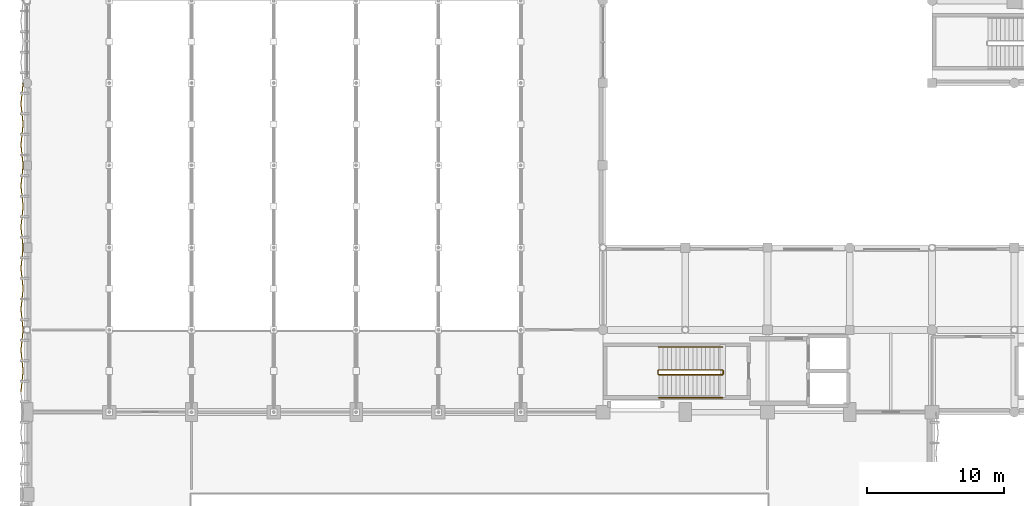
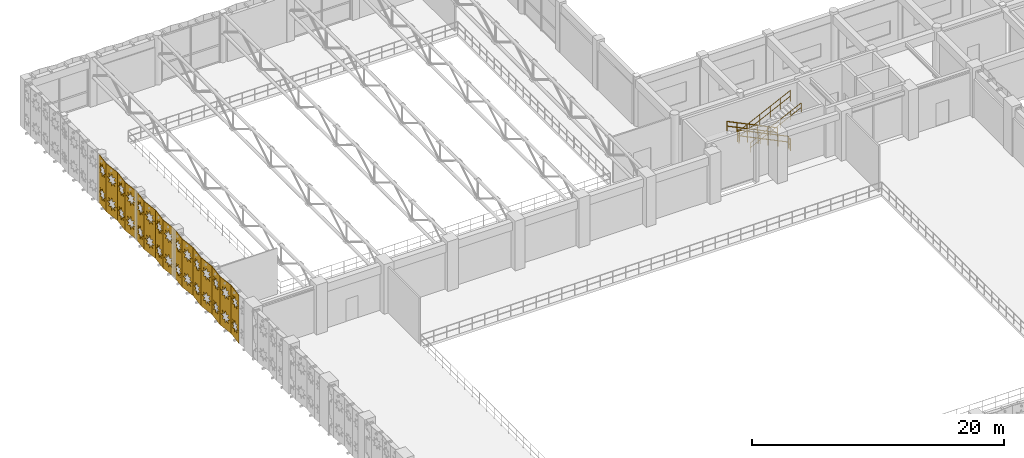
# One storey, part 118 of 123: 15 coverings, 6 railings.
"""IFC4 building model written with IfcOpenShell, lengths in metres."""

import ifcopenshell
import ifcopenshell.guid

model = None  # the IFC model being written
_history = None  # IfcOwnerHistory: only IFC2X3 demands one
_inside = {}  # id of a spatial element -> (the spatial element, [elements in it])
_under = {}  # id of a project, library or spatial element -> (it, [spatial elements below it])
_declared = {}  # id of a project -> (the project, [libraries it declares])
_typed = {}  # id of a type object -> (the type object, [elements of that type])
_made_of = {}  # id of a material, layer set ... -> (it, [elements and type objects made of it])


def new_model(schema):
    """Start an empty IFC model of exactly this schema.

    Asked for "IFC4X3", IfcOpenShell would pick the latest addendum, in which some entities
    have other attributes; the version numbers below select the first issue.
    IFC2X3 requires an IfcOwnerHistory on every rooted entity: one is made here for all.
    """
    global model, _history
    if schema == "IFC4X3":
        model = ifcopenshell.file(schema_version=(4, 3, 0, 0))
    else:
        model = ifcopenshell.file(schema=schema)
    _inside.clear()
    _under.clear()
    _declared.clear()
    _typed.clear()
    _made_of.clear()
    _history = None
    if model.schema == "IFC2X3":
        org = make("IfcOrganization", Name="unknown")
        user = make(
            "IfcPersonAndOrganization",
            ThePerson=make("IfcPerson", FamilyName="unknown"),
            TheOrganization=org,
        )
        app = make(
            "IfcApplication",
            ApplicationDeveloper=org,
            Version="unknown",
            ApplicationFullName="unknown",
            ApplicationIdentifier="unknown",
        )
        _history = make(
            "IfcOwnerHistory",
            OwningUser=user,
            OwningApplication=app,
            ChangeAction="ADDED",
            CreationDate=0,
        )
    return model


def make(cls, **values):
    """One entity of the class cls with the attributes given. An attribute that is None is left unset."""
    return model.create_entity(
        cls, **{name: value for name, value in values.items() if value is not None}
    )


def rooted(cls, **values):
    """An entity with a GlobalId (a new one), such as an element, a storey or a relation."""
    return make(cls, GlobalId=ifcopenshell.guid.new(), OwnerHistory=_history, **values)


def si_unit(unit_type, name, prefix=None):
    """IfcSIUnit, for example si_unit("LENGTHUNIT", "METRE", prefix="MILLI")."""
    return make("IfcSIUnit", UnitType=unit_type, Prefix=prefix, Name=name)


def assignment(units):
    """IfcUnitAssignment: the units of a project."""
    return None if units is None else make("IfcUnitAssignment", Units=units)


def point(xyz):
    """IfcCartesianPoint."""
    return None if xyz is None else make("IfcCartesianPoint", Coordinates=xyz)


def direction(xyz):
    """IfcDirection."""
    return None if xyz is None else make("IfcDirection", DirectionRatios=xyz)


def frame(location, z_axis=None, x_axis=None):
    """IfcAxis2Placement3D, a coordinate frame: its origin and axes. An axis left out is left unset."""
    return make(
        "IfcAxis2Placement3D",
        Location=point(location),
        Axis=direction(z_axis),
        RefDirection=direction(x_axis),
    )


def frame_2d(location, x_axis=None):
    """IfcAxis2Placement2D, a coordinate frame in the plane: its origin and x axis."""
    return make(
        "IfcAxis2Placement2D", Location=point(location), RefDirection=direction(x_axis)
    )


def origin():
    """The frame at (0, 0, 0) with its axes left unset."""
    return frame((0.0, 0.0, 0.0))


def origin_2d():
    """The frame at (0, 0) in the plane with its x axis left unset."""
    return frame_2d((0.0, 0.0))


def place(relative_to, where):
    """IfcLocalPlacement: puts the frame where relative to a parent placement (None: the world)."""
    return make(
        "IfcLocalPlacement", PlacementRelTo=relative_to, RelativePlacement=where
    )


def context(
    kind, dimensions, precision=None, world=None, true_north=None, identifier=None
):
    """IfcGeometricRepresentationContext, for example the 3D "Model" context."""
    return make(
        "IfcGeometricRepresentationContext",
        ContextIdentifier=identifier,
        ContextType=kind,
        CoordinateSpaceDimension=dimensions,
        Precision=precision,
        WorldCoordinateSystem=world,
        TrueNorth=true_north,
    )


def subcontext(parent, identifier, kind, view, scale=None):
    """IfcGeometricRepresentationSubContext, for example "Body" below "Model"."""
    return make(
        "IfcGeometricRepresentationSubContext",
        ContextIdentifier=identifier,
        ContextType=kind,
        ParentContext=parent,
        TargetScale=scale,
        TargetView=view,
    )


def project(units=None, contexts=None):
    """IfcProject with its units and contexts."""
    return rooted(
        "IfcProject",
        Name="project",
        RepresentationContexts=contexts,
        UnitsInContext=assignment(units),
    )


def spatial(cls, under=None, at=None, **own):
    """A site, building, storey or space (cls), placed at a placement, below another one or the project."""
    s = rooted(cls, ObjectPlacement=at, **own)
    if under is not None:
        _under.setdefault(under.id(), (under, []))[1].append(s)
    return s


def polyline(points):
    """IfcPolyline through the points."""
    return make("IfcPolyline", Points=[point(p) for p in points])


def profile(cls, at=None, kind="AREA", **sizes):
    """A parametric profile (cls). Its sizes go by their IFC names, for example OverallWidth=200.0."""
    return make(cls, ProfileType=kind, Position=at, **sizes)


def circle(**sizes):
    """IfcCircleProfileDef."""
    return profile("IfcCircleProfileDef", **sizes)


def outline(outer, holes=None, kind="AREA"):
    """IfcArbitraryClosedProfileDef: a profile drawn as a closed curve; with holes, ...WithVoids."""
    if holes is None:
        return make("IfcArbitraryClosedProfileDef", ProfileType=kind, OuterCurve=outer)
    return make(
        "IfcArbitraryProfileDefWithVoids",
        ProfileType=kind,
        OuterCurve=outer,
        InnerCurves=holes,
    )


def extrude(swept, where, along, depth):
    """IfcExtrudedAreaSolid: the profile swept, set in the frame where, extruded along a direction by depth."""
    return make(
        "IfcExtrudedAreaSolid",
        SweptArea=swept,
        Position=where,
        ExtrudedDirection=direction(along),
        Depth=depth,
    )


def shape(context_of_items, identifier, shape_type, items):
    """IfcShapeRepresentation: the items that make up one representation, for example the "Body"."""
    return make(
        "IfcShapeRepresentation",
        ContextOfItems=context_of_items,
        RepresentationIdentifier=identifier,
        RepresentationType=shape_type,
        Items=items,
    )


def material(Name=None, Category=None):
    """IfcMaterial."""
    return make("IfcMaterial", Name=Name, Category=Category)


def layer(
    of_material, thickness, ventilated=None, Name=None, Category=None, Priority=None
):
    """IfcMaterialLayer: one layer of a wall or slab, of a material (None: an air gap)."""
    return make(
        "IfcMaterialLayer",
        Material=of_material,
        LayerThickness=thickness,
        IsVentilated=ventilated,
        Name=Name,
        Category=Category,
        Priority=Priority,
    )


def layer_set(layers, Name=None):
    """IfcMaterialLayerSet."""
    return make("IfcMaterialLayerSet", MaterialLayers=layers, LayerSetName=Name)


def made_of(thing, what):
    """Note that an element or type object is made of a material, layer set ...; save() writes the relation."""
    if what is not None:
        _made_of.setdefault(what.id(), (what, []))[1].append(thing)
    return thing


def type_object(cls, material=None, **own):
    """A type object (cls), such as IfcWallType, which elements share."""
    return made_of(rooted(cls, **own), material)


def element(
    cls,
    number,
    at=None,
    inside=None,
    cuts=None,
    type_object=None,
    material=None,
    context=None,
    identifier="Body",
    shape_type=None,
    held_by="IfcProductDefinitionShape",
    body=None,
    shapes=None,
    **own,
):
    """One element of the class cls, such as IfcWall. Its Tag is "e" and its number.

    at: its placement. inside: the storey or other place that contains it. cuts: it is an
    opening in that element (IfcRelVoidsElement). A single representation is given by context,
    identifier, shape_type and body (its items); several are given by shapes. held_by: the class
    of the entity that holds the representations. save() writes the other relations.
    """
    e = rooted(cls, Tag="e%d" % number, ObjectPlacement=at, **own)
    if body is not None:
        shapes = [shape(context, identifier, shape_type, body)]
    if shapes is not None:
        e.Representation = make(held_by, Representations=shapes)
    if inside is not None:
        _inside.setdefault(inside.id(), (inside, []))[1].append(e)
    if cuts is not None:
        rooted(
            "IfcRelVoidsElement", RelatingBuildingElement=cuts, RelatedOpeningElement=e
        )
    if type_object is not None:
        _typed.setdefault(type_object.id(), (type_object, []))[1].append(e)
    return made_of(e, material)


def aggregate(whole, parts):
    """IfcRelAggregates: a whole, such as a stair, and the parts it consists of."""
    return rooted("IfcRelAggregates", RelatingObject=whole, RelatedObjects=parts)


def save(model, path):
    """Write the relations noted so far, then the file.

    IfcRelAggregates (storeys below a building ...), IfcRelContainedInSpatialStructure (elements
    in a storey), IfcRelDefinesByType, IfcRelAssociatesMaterial and IfcRelDeclares: one each for
    every whole, place, type object, material and project.
    """
    for whole, parts in _under.values():
        aggregate(whole, parts)
    for where, things in _inside.values():
        rooted(
            "IfcRelContainedInSpatialStructure",
            RelatedElements=things,
            RelatingStructure=where,
        )
    for kind, things in _typed.values():
        rooted("IfcRelDefinesByType", RelatedObjects=things, RelatingType=kind)
    for what, things in _made_of.values():
        rooted("IfcRelAssociatesMaterial", RelatedObjects=things, RelatingMaterial=what)
    for by, libraries in _declared.values():
        rooted("IfcRelDeclares", RelatingContext=by, RelatedDefinitions=libraries)
    model.write(path)


model = new_model("IFC4")

# Units and contexts
model_context = context("Model", 3, precision=1e-05, world=origin(), true_north=direction((0.0, 1.0)))
body_context = subcontext(model_context, "Body", "Model", "MODEL_VIEW")
ifc_project = project(units=[si_unit("LENGTHUNIT", "METRE"), si_unit("AREAUNIT", "SQUARE_METRE"), si_unit("VOLUMEUNIT", "CUBIC_METRE"), si_unit("PLANEANGLEUNIT", "RADIAN"), si_unit("MASSUNIT", "GRAM", prefix="KILO"), si_unit("THERMODYNAMICTEMPERATUREUNIT", "KELVIN"), si_unit("POWERUNIT", "WATT")], contexts=[model_context])

# Site, building, storey
site_placement = place(None, origin())
site = spatial("IfcSite", under=ifc_project, at=site_placement, CompositionType="ELEMENT")
building_placement = place(site_placement, origin())
building = spatial("IfcBuilding", under=site, at=building_placement, Name="Phaisarnlok Congress Hotel", CompositionType="ELEMENT")
storey_placement = place(building_placement, frame((0.0, 0.0, 15.0)))
storey = spatial("IfcBuildingStorey", under=building, at=storey_placement, Name="L03", CompositionType="ELEMENT", Elevation=15.0)

# Coverings
ifc_material_1 = material(Name="PVDF White Perforated Aluminium Alloy 5052", Category="aluminium")
ifc_layer = layer(ifc_material_1, 0.0400390625, Name="PVDF White Perforated Aluminium Alloy 5052")
ifc_layer_set = layer_set([ifc_layer], Name="PVDF White Perforated Aluminium Alloy 5052")
covering_type = type_object("IfcCoveringType", Name="COV-STAR-FOLD", PredefinedType="CLADDING", material=ifc_layer_set)
for number, where, z_axis, x_axis, name in (
    (1, (-0.457763671875, 85.5, 0.06005859375), (0.994517863207, -0.104566819602, 0.0), (0.104566819602, 0.994517863207, 0.0), "Folded star-perforated hall screen SS-02 (V3W L03)"),
    (2, (-0.300048828125, 87.0, 0.06005859375), (0.994517863207, 0.104566819602, 0.0), (-0.104566819602, 0.994517863207, 0.0), "Folded star-perforated hall screen SS-02 (V3W L03)"),
    (3, (-0.457763671875, 88.5, 0.06005859375), (0.994517863207, -0.104566819602, 0.0), (0.104566819602, 0.994517863207, 0.0), "Folded star-perforated hall screen SS-02 (V3W L03)"),
    (4, (-0.300048828125, 90.0, 0.06005859375), (0.994517863207, 0.104566819602, 0.0), (-0.104566819602, 0.994517863207, 0.0), "Folded star-perforated hall screen SS-02 (V3W L03)"),
    (5, (-0.457763671875, 91.5, 0.06005859375), (0.994517863207, -0.104566819602, 0.0), (0.104566819602, 0.994517863207, 0.0), "Folded star-perforated hall screen SS-02 (V3W L03)"),
    (6, (-0.300048828125, 93.0, 0.06005859375), (0.994517863207, 0.104566819602, 0.0), (-0.104566819602, 0.994517863207, 0.0), "Folded star-perforated hall screen SS-02 (V3W L03)"),
    (7, (-0.457763671875, 94.5, 0.06005859375), (0.994517863207, -0.104566819602, 0.0), (0.104566819602, 0.994517863207, 0.0), "Folded star-perforated hall screen SS-02 (V3W L03)"),
    (8, (-0.300048828125, 96.0, 0.06005859375), (0.994517863207, 0.104566819602, 0.0), (-0.104566819602, 0.994517863207, 0.0), "Folded star-perforated hall screen SS-02 (V3W L03)"),
    (9, (-0.457763671875, 97.5, 0.06005859375), (0.994517863207, -0.104566819602, 0.0), (0.104566819602, 0.994517863207, 0.0), "Folded star-perforated hall screen SS-02 (V3W L03)"),
    (10, (-0.300048828125, 99.0, 0.06005859375), (0.994517863207, 0.104566819602, 0.0), (-0.104566819602, 0.994517863207, 0.0), "Folded star-perforated hall screen SS-02 (V3W L03)"),
    (11, (-0.457763671875, 100.5, 0.06005859375), (0.994517863207, -0.104566819602, 0.0), (0.104566819602, 0.994517863207, 0.0), "Folded star-perforated hall screen SS-02 (V3W L03)"),
    (12, (-0.300048828125, 102.0, 0.06005859375), (0.994517863207, 0.104566819602, 0.0), (-0.104566819602, 0.994517863207, 0.0), "Folded star-perforated hall screen SS-02 (V3W L03)"),
    (13, (-0.457763671875, 103.5, 0.06005859375), (0.994517863207, -0.104566819602, 0.0), (0.104566819602, 0.994517863207, 0.0), "Folded star-perforated hall screen SS-02 (V3W L03)"),
    (14, (-0.300048828125, 105.0, 0.06005859375), (0.994517863207, 0.104566819602, 0.0), (-0.104566819602, 0.994517863207, 0.0), "Folded star-perforated hall screen SS-02 (V3W L03)"),
    (15, (-0.457763671875, 106.5, 0.06005859375), (0.994517863207, -0.104566819602, 0.0), (0.104566819602, 0.994517863207, 0.0), "Folded star-perforated hall screen SS-02 (V3W L03)"),
):
    element("IfcCovering", number, at=place(storey_placement, frame(where, z_axis=z_axis, x_axis=x_axis)), inside=storey, type_object=covering_type, Name=name, PredefinedType="CLADDING", context=body_context, shape_type="SweptSolid", body=[
        extrude(outline(polyline([(0.0, 0.0), (1.5082685344258453, 0.0), (1.5082685344258453, 4.659912109375), (0.0, 4.659912109375), (0.0, 0.0)]), holes=[polyline([(1.0351, 1.0486), (1.2021, 0.7171), (0.8705, 0.8841), (0.7541, 0.5315), (0.6378, 0.8841), (0.3062, 0.7171), (0.4732, 1.0486), (0.1207, 1.165), (0.4732, 1.2814), (0.3062, 1.6129), (0.6378, 1.4459), (0.7541, 1.7985), (0.8705, 1.4459), (1.2021, 1.6129), (1.0351, 1.2814), (1.3876, 1.165), (1.0351, 1.0486)]), polyline([(1.0351, 3.3786), (1.2021, 3.0471), (0.8705, 3.2141), (0.7541, 2.8615), (0.6378, 3.2141), (0.3062, 3.0471), (0.4732, 3.3786), (0.1207, 3.495), (0.4732, 3.6114), (0.3062, 3.9429), (0.6378, 3.7759), (0.7541, 4.1285), (0.8705, 3.7759), (1.2021, 3.9429), (1.0351, 3.6114), (1.3876, 3.495), (1.0351, 3.3786)])]), origin(), (0.0, 0.0, 1.0), 0.0400390625),
    ])

# Railings
ifc_material_2 = material(Name="Painted Galvanised Steel S275", Category="steel")
railing_type_1 = type_object("IfcRailingType", Name="RLG-STR-GUARD", PredefinedType="BALUSTRADE", material=ifc_material_2)
railing_1_placement = place(storey_placement, frame((50.719970703125, 87.070068359375, 0.14990234375)))
element("IfcRailing", 16, at=railing_1_placement, inside=storey, type_object=railing_type_1, Name="L03 ST-01 stair guard 1", PredefinedType="BALUSTRADE", context=body_context, shape_type="SweptSolid", body=[
    extrude(circle(Radius=0.02392578125, at=origin_2d()), frame((0.0, 0.0, 1.076171875), z_axis=(-0.900155664878, 0.0, 0.435568340204), x_axis=(0.0, -1.0, 0.0)), (0.0, 0.0, 1.0), 5.165771484375),
    extrude(circle(Radius=0.02392578125, at=origin_2d()), frame((0.0, 0.0, 0.52587890625), z_axis=(-0.900155664878, 0.0, 0.435568340204), x_axis=(0.0, -1.0, 0.0)), (0.0, 0.0, 1.0), 5.165771484375),
    extrude(circle(Radius=0.02099609375, at=origin_2d()), origin(), (0.0, 0.0, 1.0), 1.052001953125),
    extrude(circle(Radius=0.02099609375, at=origin_2d()), frame((-0.929931640625, 0.0, 0.449951171875)), (0.0, 0.0, 1.0), 1.052001953125),
    extrude(circle(Radius=0.02099609375, at=origin_2d()), frame((-1.85986328125, 0.0, 0.89990234375)), (0.0, 0.0, 1.0), 1.052001953125),
    extrude(circle(Radius=0.02099609375, at=origin_2d()), frame((-2.7900390625, 0.0, 1.35009765625)), (0.0, 0.0, 1.0), 1.052001953125),
    extrude(circle(Radius=0.02099609375, at=origin_2d()), frame((-3.719970703125, 0.0, 1.800048828125)), (0.0, 0.0, 1.0), 1.052001953125),
    extrude(circle(Radius=0.02099609375, at=origin_2d()), frame((-4.64990234375, 0.0, 2.25)), (0.0, 0.0, 1.0), 1.052001953125),
])
railing_2_placement = place(storey_placement, frame((46.02001953125, 87.02001953125, 2.39990234375)))
element("IfcRailing", 17, at=railing_2_placement, inside=storey, type_object=railing_type_1, Name="L03 ST-01 stair guard 2", PredefinedType="BALUSTRADE", context=body_context, shape_type="SweptSolid", body=[
    extrude(circle(Radius=0.02392578125, at=origin_2d()), frame((0.0, 0.0, 1.076171875), z_axis=(0.0, -1.0, 0.0), x_axis=(1.0, 0.0, 0.0)), (0.0, 0.0, 1.0), 0.239990234375),
    extrude(circle(Radius=0.02392578125, at=origin_2d()), frame((0.0, 0.0, 0.52587890625), z_axis=(0.0, -1.0, 0.0), x_axis=(1.0, 0.0, 0.0)), (0.0, 0.0, 1.0), 0.239990234375),
    extrude(circle(Radius=0.02099609375, at=origin_2d()), origin(), (0.0, 0.0, 1.0), 1.052001953125),
    extrude(circle(Radius=0.02099609375, at=origin_2d()), frame((0.0, -0.239990234375, 0.0)), (0.0, 0.0, 1.0), 1.052001953125),
])
railing_3_placement = place(storey_placement, frame((46.070068359375, 86.72998046875, 2.550048828125)))
element("IfcRailing", 18, at=railing_3_placement, inside=storey, type_object=railing_type_1, Name="L03 ST-01 stair guard 3", PredefinedType="BALUSTRADE", context=body_context, shape_type="SweptSolid", body=[
    extrude(circle(Radius=0.02392578125, at=origin_2d()), frame((0.0, 0.0, 1.076171875), z_axis=(0.900155664878, 0.0, 0.435568340204), x_axis=(0.0, 1.0, 0.0)), (0.0, 0.0, 1.0), 5.165771484375),
    extrude(circle(Radius=0.02392578125, at=origin_2d()), frame((0.0, 0.0, 0.52587890625), z_axis=(0.900155664878, 0.0, 0.435568340204), x_axis=(0.0, 1.0, 0.0)), (0.0, 0.0, 1.0), 5.165771484375),
    extrude(circle(Radius=0.02099609375, at=origin_2d()), origin(), (0.0, 0.0, 1.0), 1.052001953125),
    extrude(circle(Radius=0.02099609375, at=origin_2d()), frame((0.929931640625, 0.0, 0.449951171875)), (0.0, 0.0, 1.0), 1.052001953125),
    extrude(circle(Radius=0.02099609375, at=origin_2d()), frame((1.85986328125, 0.0, 0.89990234375)), (0.0, 0.0, 1.0), 1.052001953125),
    extrude(circle(Radius=0.02099609375, at=origin_2d()), frame((2.7900390625, 0.0, 1.35009765625)), (0.0, 0.0, 1.0), 1.052001953125),
    extrude(circle(Radius=0.02099609375, at=origin_2d()), frame((3.719970703125, 0.0, 1.800048828125)), (0.0, 0.0, 1.0), 1.052001953125),
    extrude(circle(Radius=0.02099609375, at=origin_2d()), frame((4.64990234375, 0.0, 2.25)), (0.0, 0.0, 1.0), 1.052001953125),
])
railing_4_placement = place(storey_placement, frame((50.77001953125, 87.02001953125, 0.0)))
element("IfcRailing", 19, at=railing_4_placement, inside=storey, type_object=railing_type_1, Name="L03 ST-01 stair guard 4", PredefinedType="BALUSTRADE", context=body_context, shape_type="SweptSolid", body=[
    extrude(circle(Radius=0.02392578125, at=origin_2d()), frame((0.0, 0.0, 1.076171875), z_axis=(0.0, -1.0, 0.0), x_axis=(1.0, 0.0, 0.0)), (0.0, 0.0, 1.0), 0.239990234375),
    extrude(circle(Radius=0.02392578125, at=origin_2d()), frame((0.0, 0.0, 0.52587890625), z_axis=(0.0, -1.0, 0.0), x_axis=(1.0, 0.0, 0.0)), (0.0, 0.0, 1.0), 0.239990234375),
    extrude(circle(Radius=0.02099609375, at=origin_2d()), origin(), (0.0, 0.0, 1.0), 1.052001953125),
    extrude(circle(Radius=0.02099609375, at=origin_2d()), frame((0.0, -0.239990234375, 0.0)), (0.0, 0.0, 1.0), 1.052001953125),
])
ifc_material_3 = material(Name="Brushed Stainless Steel Grade 304", Category="steel")
railing_type_2 = type_object("IfcRailingType", Name="RLG-STR-HRAIL", PredefinedType="HANDRAIL", material=ifc_material_3)
railing_5_placement = place(storey_placement, frame((50.719970703125, 88.75, 0.14990234375)))
element("IfcRailing", 20, at=railing_5_placement, inside=storey, type_object=railing_type_2, Name="L03 ST-01 stair handrail 1", PredefinedType="HANDRAIL", context=body_context, shape_type="SweptSolid", body=[
    extrude(circle(Radius=0.02392578125, at=origin_2d()), frame((0.0, 0.0, 0.8759765625), z_axis=(-0.900155664878, 0.0, 0.435568340204), x_axis=(0.0, -1.0, 0.0)), (0.0, 0.0, 1.0), 5.165771484375),
    extrude(circle(Radius=0.02392578125, at=origin_2d()), frame((0.0, 0.0, 0.42578125), z_axis=(-0.900155664878, 0.0, 0.435568340204), x_axis=(0.0, -1.0, 0.0)), (0.0, 0.0, 1.0), 5.165771484375),
    extrude(circle(Radius=0.02099609375, at=origin_2d()), origin(), (0.0, 0.0, 1.0), 0.851806640625),
    extrude(circle(Radius=0.02099609375, at=origin_2d()), frame((-0.929931640625, 0.0, 0.449951171875)), (0.0, 0.0, 1.0), 0.851806640625),
    extrude(circle(Radius=0.02099609375, at=origin_2d()), frame((-1.85986328125, 0.0, 0.89990234375)), (0.0, 0.0, 1.0), 0.851806640625),
    extrude(circle(Radius=0.02099609375, at=origin_2d()), frame((-2.7900390625, 0.0, 1.35009765625)), (0.0, 0.0, 1.0), 0.851806640625),
    extrude(circle(Radius=0.02099609375, at=origin_2d()), frame((-3.719970703125, 0.0, 1.800048828125)), (0.0, 0.0, 1.0), 0.851806640625),
    extrude(circle(Radius=0.02099609375, at=origin_2d()), frame((-4.64990234375, 0.0, 2.25)), (0.0, 0.0, 1.0), 0.851806640625),
])
railing_6_placement = place(storey_placement, frame((46.070068359375, 85.050048828125, 2.550048828125)))
element("IfcRailing", 21, at=railing_6_placement, inside=storey, type_object=railing_type_2, Name="L03 ST-01 stair handrail 2", PredefinedType="HANDRAIL", context=body_context, shape_type="SweptSolid", body=[
    extrude(circle(Radius=0.02392578125, at=origin_2d()), frame((0.0, 0.0, 0.8759765625), z_axis=(0.900155664878, 0.0, 0.435568340204), x_axis=(0.0, 1.0, 0.0)), (0.0, 0.0, 1.0), 5.165771484375),
    extrude(circle(Radius=0.02392578125, at=origin_2d()), frame((0.0, 0.0, 0.42578125), z_axis=(0.900155664878, 0.0, 0.435568340204), x_axis=(0.0, 1.0, 0.0)), (0.0, 0.0, 1.0), 5.165771484375),
    extrude(circle(Radius=0.02099609375, at=origin_2d()), origin(), (0.0, 0.0, 1.0), 0.851806640625),
    extrude(circle(Radius=0.02099609375, at=origin_2d()), frame((0.929931640625, 0.0, 0.449951171875)), (0.0, 0.0, 1.0), 0.851806640625),
    extrude(circle(Radius=0.02099609375, at=origin_2d()), frame((1.85986328125, 0.0, 0.89990234375)), (0.0, 0.0, 1.0), 0.851806640625),
    extrude(circle(Radius=0.02099609375, at=origin_2d()), frame((2.7900390625, 0.0, 1.35009765625)), (0.0, 0.0, 1.0), 0.851806640625),
    extrude(circle(Radius=0.02099609375, at=origin_2d()), frame((3.719970703125, 0.0, 1.800048828125)), (0.0, 0.0, 1.0), 0.851806640625),
    extrude(circle(Radius=0.02099609375, at=origin_2d()), frame((4.64990234375, 0.0, 2.25)), (0.0, 0.0, 1.0), 0.851806640625),
])

save(model, "model.ifc")
